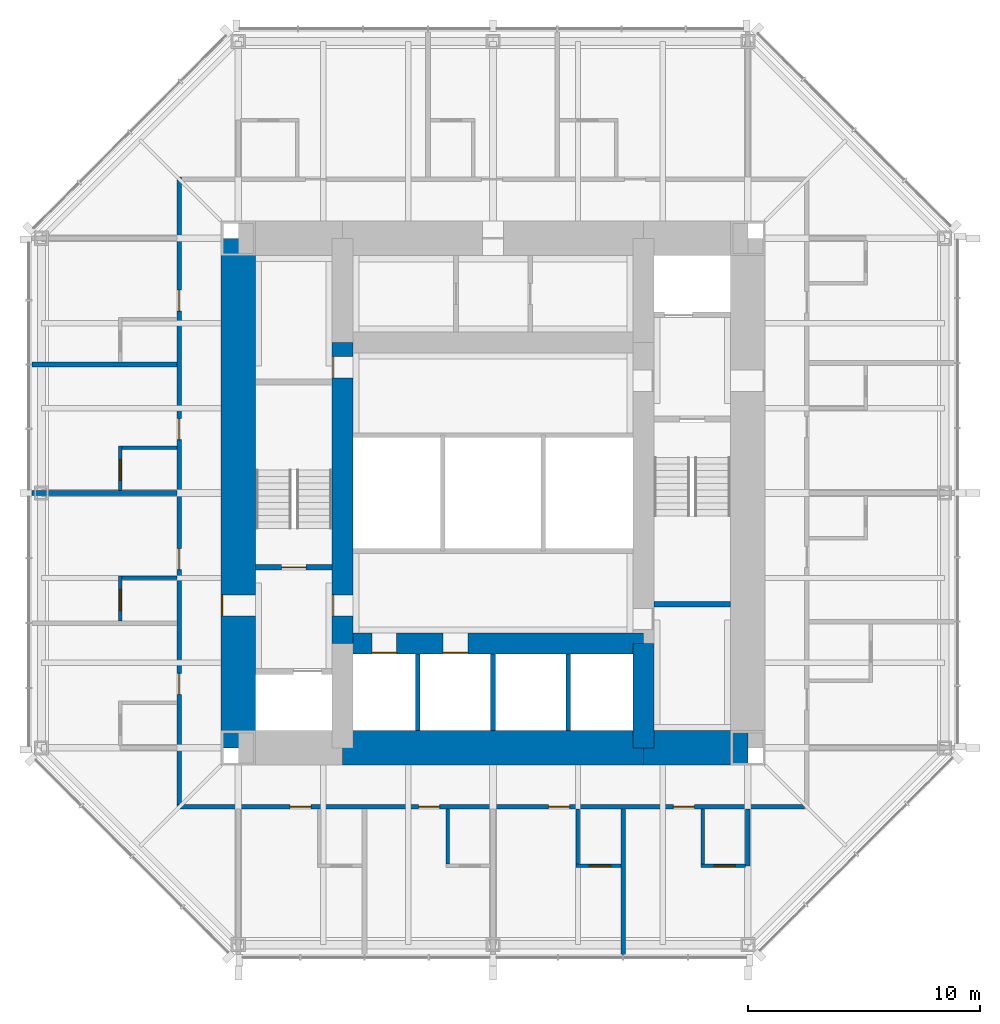
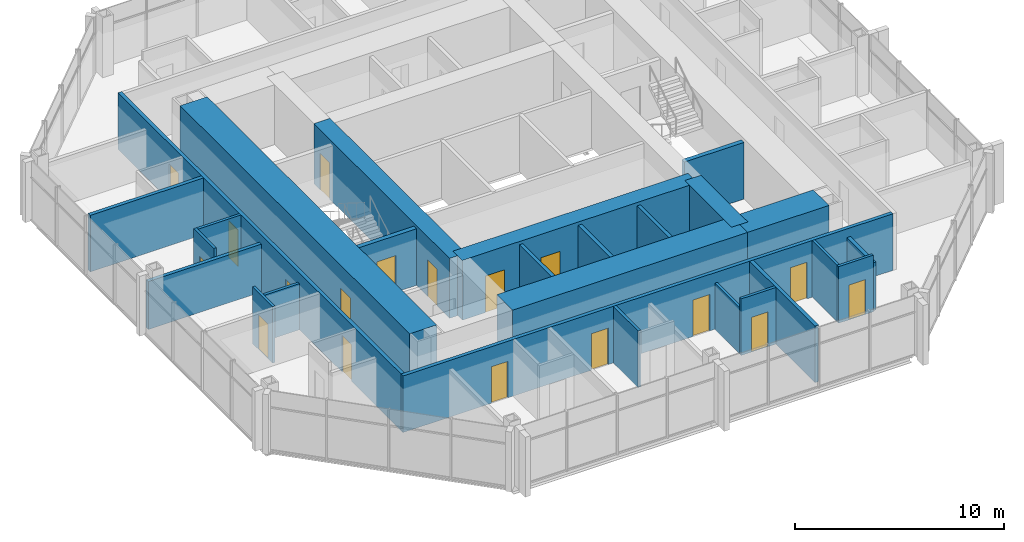
# One storey, part 8 of 12: 26 walls, 18 doors, 18 openings.
"""IFC4 building model written with IfcOpenShell, lengths in metres."""

from ifc_helpers import new_model, si_unit, direction, frame, frame_2d, origin, place, context, subcontext, project, spatial, rectangle, extrude, material, layer, layer_set, type_object, element, fill, save


model = new_model("IFC4")

# Units and contexts
model_context = context("Model", 3, precision=1e-05, world=origin(), true_north=direction((0.0, 1.0)))
body_context = subcontext(model_context, "Body", "Model", "MODEL_VIEW")
ifc_project = project(units=[si_unit("LENGTHUNIT", "METRE"), si_unit("AREAUNIT", "SQUARE_METRE"), si_unit("VOLUMEUNIT", "CUBIC_METRE"), si_unit("PLANEANGLEUNIT", "RADIAN"), si_unit("MASSUNIT", "GRAM", prefix="KILO")], contexts=[model_context])

# Site, building, storey
site_placement = place(None, origin())
site = spatial("IfcSite", under=ifc_project, at=site_placement, CompositionType="ELEMENT")
building_placement = place(site_placement, origin())
building = spatial("IfcBuilding", under=site, at=building_placement, Name="Trevanion Tower", CompositionType="ELEMENT")
storey_placement = place(building_placement, frame((0.0, 0.0, 208.199951171875)))
storey = spatial("IfcBuildingStorey", under=building, at=storey_placement, Name="L49", CompositionType="ELEMENT", Elevation=208.199951171875)

# Wall, opening, door
ifc_material_1 = material(Name="Concrete 10,000 psi", Category="concrete")
ifc_layer_1 = layer(ifc_material_1, 1.5)
ifc_layer_set_1 = layer_set([ifc_layer_1], Name="CW1 core wall 1500")
wall_type_1 = type_object("IfcWallType", Name="CW1 core wall 1500", PredefinedType="SHEAR", material=ifc_layer_set_1)
wall_1_placement = place(storey_placement, frame((-11.0, 11.0, 0.0), z_axis=(0.0, 0.0, 1.0), x_axis=(0.0, -1.0, 0.0)))
wall_1 = element("IfcWall", 1, at=wall_1_placement, inside=storey, type_object=wall_type_1, Name="CW1 CW L49", PredefinedType="SHEAR", context=body_context, shape_type="SweptSolid", body=[
    extrude(rectangle(XDim=22.0, YDim=1.5, at=frame_2d((11.0, 0.0))), origin(), (0.0, 0.0, 1.0), 3.5),
])
opening_1_placement = place(wall_1_placement, frame((15.392578125, 0.0, 0.0)))
opening_1 = element("IfcOpeningElement", 2, at=opening_1_placement, cuts=wall_1, Name="Opening 49-002", PredefinedType="OPENING", context=body_context, shape_type="SweptSolid", body=[
    extrude(rectangle(XDim=0.9150390625, YDim=2.134033203125, at=frame_2d((0.45751953125, 1.06689453125))), frame((0.0, 0.760009765625, 0.0), z_axis=(0.0, -1.0, 0.0), x_axis=(1.0, 0.0, 0.0)), (0.0, 0.0, 1.0), 1.52001953125),
])
ifc_material_2 = material(Name="Hollow metal, fire rated", Category="steel")
door_type_1 = type_object("IfcDoorType", Name="D3 fire lift lobby door", OperationType="SINGLE_SWING_RIGHT", PredefinedType="DOOR", material=ifc_material_2)
door_1_placement = place(opening_1_placement, origin())
door_1 = element("IfcDoor", 3, at=door_1_placement, inside=storey, type_object=door_type_1, Name="Door 49-002", OperationType="SINGLE_SWING_RIGHT", OverallHeight=2.134033203125, OverallWidth=0.9150390625, PredefinedType="DOOR", context=body_context, shape_type="SweptSolid", body=[
    extrude(rectangle(XDim=0.9150390625, YDim=2.134033203125, at=frame_2d((0.45751953125, 1.06689453125))), frame((0.0, -0.6748046875, 0.0), z_axis=(0.0, -1.0, 0.0), x_axis=(1.0, 0.0, 0.0)), (0.0, 0.0, 1.0), 0.050048828125),
])
fill(opening_1, door_1)

# Walls
wall_2_placement = place(storey_placement, frame((-6.5, -11.0, 0.0), z_axis=(0.0, 0.0, 1.0), x_axis=(1.0, 0.0, 0.0)))
element("IfcWall", 4, at=wall_2_placement, inside=storey, type_object=wall_type_1, Name="CW1 CS2 L49", PredefinedType="SHEAR", context=body_context, shape_type="SweptSolid", body=[
    extrude(rectangle(XDim=13.0, YDim=1.5, at=frame_2d((6.5, 0.0))), origin(), (0.0, 0.0, 1.0), 3.5),
])
wall_3_placement = place(storey_placement, frame((6.5, -11.0, 0.0), z_axis=(0.0, 0.0, 1.0), x_axis=(1.0, 0.0, 0.0)))
element("IfcWall", 5, at=wall_3_placement, inside=storey, type_object=wall_type_1, Name="CW1 CS3 L49", PredefinedType="SHEAR", context=body_context, shape_type="SweptSolid", body=[
    extrude(rectangle(XDim=4.5, YDim=1.5, at=frame_2d((2.25, 0.0))), origin(), (0.0, 0.0, 1.0), 3.5),
])
ifc_material_3 = material(Name="Concrete 10,000 psi", Category="concrete")
ifc_layer_2 = layer(ifc_material_3, 0.89990234375)
ifc_layer_set_2 = layer_set([ifc_layer_2], Name="CW2 core wall 900")
wall_type_2 = type_object("IfcWallType", Name="CW2 core wall 900", PredefinedType="SHEAR", material=ifc_layer_set_2)
wall_4_placement = place(storey_placement, frame((6.5, -11.0, 0.0), z_axis=(0.0, 0.0, 1.0), x_axis=(0.0, 1.0, 0.0)))
element("IfcWall", 6, at=wall_4_placement, inside=storey, type_object=wall_type_2, Name="CW2 RE1 L49", PredefinedType="SHEAR", context=body_context, shape_type="SweptSolid", body=[
    extrude(rectangle(XDim=4.5, YDim=0.89990234375, at=frame_2d((2.25, 0.0))), origin(), (0.0, 0.0, 1.0), 3.5),
])

# Wall, openings, doors
wall_5_placement = place(storey_placement, frame((-6.5, 6.5, 0.0), z_axis=(0.0, 0.0, 1.0), x_axis=(0.0, -1.0, 0.0)))
wall_5 = element("IfcWall", 7, at=wall_5_placement, inside=storey, type_object=wall_type_2, Name="CW2 RW2 L49", PredefinedType="SHEAR", context=body_context, shape_type="SweptSolid", body=[
    extrude(rectangle(XDim=13.0, YDim=0.89990234375, at=frame_2d((6.5, 0.0))), origin(), (0.0, 0.0, 1.0), 3.5),
])
opening_2_placement = place(wall_5_placement, frame((10.892578125, 0.0, 0.0)))
opening_2 = element("IfcOpeningElement", 8, at=opening_2_placement, cuts=wall_5, Name="Opening 49-004", PredefinedType="OPENING", context=body_context, shape_type="SweptSolid", body=[
    extrude(rectangle(XDim=0.9150390625, YDim=2.134033203125, at=frame_2d((0.45751953125, 1.06689453125))), frame((0.0, 0.4599609375, 0.0), z_axis=(0.0, -1.0, 0.0), x_axis=(1.0, 0.0, 0.0)), (0.0, 0.0, 1.0), 0.919921875),
])
opening_3_placement = place(wall_5_placement, frame((0.610107421875, 0.0, 0.0)))
opening_3 = element("IfcOpeningElement", 9, at=opening_3_placement, cuts=wall_5, Name="Opening 49-010", PredefinedType="OPENING", context=body_context, shape_type="SweptSolid", body=[
    extrude(rectangle(XDim=0.9150390625, YDim=2.134033203125, at=frame_2d((0.45751953125, 1.06689453125))), frame((0.0, 0.4599609375, 0.0), z_axis=(0.0, -1.0, 0.0), x_axis=(1.0, 0.0, 0.0)), (0.0, 0.0, 1.0), 0.919921875),
])
door_2_placement = place(opening_2_placement, origin())
door_2 = element("IfcDoor", 10, at=door_2_placement, inside=storey, type_object=door_type_1, Name="Door 49-004", OperationType="SINGLE_SWING_RIGHT", OverallHeight=2.134033203125, OverallWidth=0.9150390625, PredefinedType="DOOR", context=body_context, shape_type="SweptSolid", body=[
    extrude(rectangle(XDim=0.9150390625, YDim=2.134033203125, at=frame_2d((0.45751953125, 1.06689453125))), frame((0.0, -0.375, 0.0), z_axis=(0.0, -1.0, 0.0), x_axis=(1.0, 0.0, 0.0)), (0.0, 0.0, 1.0), 0.050048828125),
])
fill(opening_2, door_2)
ifc_material_4 = material(Name="Hollow metal, fire rated", Category="steel")
door_type_2 = type_object("IfcDoorType", Name="D5 service room door", OperationType="SINGLE_SWING_RIGHT", PredefinedType="DOOR", material=ifc_material_4)
door_3_placement = place(opening_3_placement, origin())
door_3 = element("IfcDoor", 11, at=door_3_placement, inside=storey, type_object=door_type_2, Name="Door 49-010", OperationType="SINGLE_SWING_RIGHT", OverallHeight=2.134033203125, OverallWidth=0.9150390625, PredefinedType="DOOR", context=body_context, shape_type="SweptSolid", body=[
    extrude(rectangle(XDim=0.9150390625, YDim=2.134033203125, at=frame_2d((0.45751953125, 1.06689453125))), frame((0.0, -0.375, 0.0), z_axis=(0.0, -1.0, 0.0), x_axis=(1.0, 0.0, 0.0)), (0.0, 0.0, 1.0), 0.050048828125),
])
fill(opening_3, door_3)

wall_6_placement = place(storey_placement, frame((-6.5, -6.5, 0.0), z_axis=(0.0, 0.0, 1.0), x_axis=(1.0, 0.0, 0.0)))
wall_6 = element("IfcWall", 12, at=wall_6_placement, inside=storey, type_object=wall_type_2, Name="CW2 RS L49", PredefinedType="SHEAR", context=body_context, shape_type="SweptSolid", body=[
    extrude(rectangle(XDim=13.0, YDim=0.89990234375, at=frame_2d((6.5, 0.0))), origin(), (0.0, 0.0, 1.0), 3.5),
])
opening_4_placement = place(wall_6_placement, frame((1.2666015625, 0.0, 0.0)))
opening_4 = element("IfcOpeningElement", 13, at=opening_4_placement, cuts=wall_6, Name="Opening 49-011", PredefinedType="OPENING", context=body_context, shape_type="SweptSolid", body=[
    extrude(rectangle(XDim=1.06689453125, YDim=2.134033203125, at=frame_2d((0.533447265625, 1.06689453125))), frame((0.0, 0.4599609375, 0.0), z_axis=(0.0, -1.0, 0.0), x_axis=(1.0, 0.0, 0.0)), (0.0, 0.0, 1.0), 0.919921875),
])
opening_5_placement = place(wall_6_placement, frame((4.341552734375, 0.0, 0.0)))
opening_5 = element("IfcOpeningElement", 14, at=opening_5_placement, cuts=wall_6, Name="Opening 49-012", PredefinedType="OPENING", context=body_context, shape_type="SweptSolid", body=[
    extrude(rectangle(XDim=1.06689453125, YDim=2.134033203125, at=frame_2d((0.533447265625, 1.06689453125))), frame((0.0, 0.4599609375, 0.0), z_axis=(0.0, -1.0, 0.0), x_axis=(1.0, 0.0, 0.0)), (0.0, 0.0, 1.0), 0.919921875),
])
ifc_material_5 = material(Name="Stainless steel, fire rated", Category="steel")
door_type_3 = type_object("IfcDoorType", Name="LD1 lift landing door", OperationType="SLIDING_TO_LEFT", PredefinedType="DOOR", material=ifc_material_5)
door_4_placement = place(opening_4_placement, origin())
door_4 = element("IfcDoor", 15, at=door_4_placement, inside=storey, type_object=door_type_3, Name="Door 49-011", OperationType="SLIDING_TO_LEFT", OverallHeight=2.134033203125, OverallWidth=1.06689453125, PredefinedType="DOOR", context=body_context, shape_type="SweptSolid", body=[
    extrude(rectangle(XDim=1.06689453125, YDim=2.134033203125, at=frame_2d((0.533447265625, 1.06689453125))), frame((0.0, -0.375, 0.0), z_axis=(0.0, -1.0, 0.0), x_axis=(1.0, 0.0, 0.0)), (0.0, 0.0, 1.0), 0.050048828125),
])
fill(opening_4, door_4)
door_5_placement = place(opening_5_placement, origin())
door_5 = element("IfcDoor", 16, at=door_5_placement, inside=storey, type_object=door_type_3, Name="Door 49-012", OperationType="SLIDING_TO_LEFT", OverallHeight=2.134033203125, OverallWidth=1.06689453125, PredefinedType="DOOR", context=body_context, shape_type="SweptSolid", body=[
    extrude(rectangle(XDim=1.06689453125, YDim=2.134033203125, at=frame_2d((0.533447265625, 1.06689453125))), frame((0.0, -0.375, 0.0), z_axis=(0.0, -1.0, 0.0), x_axis=(1.0, 0.0, 0.0)), (0.0, 0.0, 1.0), 0.050048828125),
])
fill(opening_5, door_5)

# Wall, opening, door
ifc_material_6 = material(Name="Gypsum board on steel studs", Category="steel")
ifc_layer_3 = layer(ifc_material_6, 0.14990234375)
ifc_layer_set_3 = layer_set([ifc_layer_3], Name="PT1 partition 150")
wall_type_3 = type_object("IfcWallType", Name="PT1 partition 150", PredefinedType="PARTITIONING", material=ifc_layer_set_3)
wall_7_placement = place(storey_placement, frame((-16.10009765625, 2.02490234375, 0.0), z_axis=(0.0, 0.0, 1.0), x_axis=(0.0, -1.0, 0.0)))
wall_7 = element("IfcWall", 17, at=wall_7_placement, inside=storey, type_object=wall_type_3, Name="PT1 L49 BA21", PredefinedType="PARTITIONING", context=body_context, shape_type="SweptSolid", body=[
    extrude(rectangle(XDim=1.9248046875, YDim=0.14990234375, at=frame_2d((0.96240234375, 0.0))), origin(), (0.0, 0.0, 1.0), 3.31005859375),
])
opening_6_placement = place(wall_7_placement, frame((0.5673828125, 0.0, 0.0)))
opening_6 = element("IfcOpeningElement", 18, at=opening_6_placement, cuts=wall_7, Name="Opening 49-032", PredefinedType="OPENING", context=body_context, shape_type="SweptSolid", body=[
    extrude(rectangle(XDim=0.9150390625, YDim=2.031982421875, at=frame_2d((0.45751953125, 1.01611328125))), frame((0.0, 0.0849609375, 0.0), z_axis=(0.0, -1.0, 0.0), x_axis=(1.0, 0.0, 0.0)), (0.0, 0.0, 1.0), 0.169921875),
])
ifc_material_7 = material(Name="Timber veneer", Category="wood")
door_type_4 = type_object("IfcDoorType", Name="D7 bathroom door", OperationType="SINGLE_SWING_LEFT", PredefinedType="DOOR", material=ifc_material_7)
door_6_placement = place(opening_6_placement, origin())
door_6 = element("IfcDoor", 19, at=door_6_placement, inside=storey, type_object=door_type_4, Name="Door 49-032", OperationType="SINGLE_SWING_LEFT", OverallHeight=2.031982421875, OverallWidth=0.9150390625, PredefinedType="DOOR", context=body_context, shape_type="SweptSolid", body=[
    extrude(rectangle(XDim=0.9150390625, YDim=2.031982421875, at=frame_2d((0.45751953125, 1.01611328125))), frame((0.0, 0.02490234375, 0.0), z_axis=(0.0, -1.0, 0.0), x_axis=(1.0, 0.0, 0.0)), (0.0, 0.0, 1.0), 0.050048828125),
])
fill(opening_6, door_6)

# Wall
wall_8_placement = place(storey_placement, frame((-13.64990234375, 1.949951171875, 0.0), z_axis=(0.0, 0.0, 1.0), x_axis=(-1.0, 0.0, 0.0)))
element("IfcWall", 20, at=wall_8_placement, inside=storey, type_object=wall_type_3, Name="PT1 L49 BB21", PredefinedType="PARTITIONING", context=body_context, shape_type="SweptSolid", body=[
    extrude(rectangle(XDim=2.375, YDim=0.14990234375, at=frame_2d((1.1875, 0.0))), origin(), (0.0, 0.0, 1.0), 3.31005859375),
])

# Wall, opening, door
wall_9_placement = place(storey_placement, frame((-16.10009765625, -3.589111328125, 0.0), z_axis=(0.0, 0.0, 1.0), x_axis=(0.0, -1.0, 0.0)))
wall_9 = element("IfcWall", 21, at=wall_9_placement, inside=storey, type_object=wall_type_3, Name="PT1 L49 BA22", PredefinedType="PARTITIONING", context=body_context, shape_type="SweptSolid", body=[
    extrude(rectangle(XDim=1.9248046875, YDim=0.14990234375, at=frame_2d((0.96240234375, 0.0))), origin(), (0.0, 0.0, 1.0), 3.31005859375),
])
opening_7_placement = place(wall_9_placement, frame((0.5673828125, 0.0, 0.0)))
opening_7 = element("IfcOpeningElement", 22, at=opening_7_placement, cuts=wall_9, Name="Opening 49-034", PredefinedType="OPENING", context=body_context, shape_type="SweptSolid", body=[
    extrude(rectangle(XDim=0.9150390625, YDim=2.031982421875, at=frame_2d((0.45751953125, 1.01611328125))), frame((0.0, 0.0849609375, 0.0), z_axis=(0.0, -1.0, 0.0), x_axis=(1.0, 0.0, 0.0)), (0.0, 0.0, 1.0), 0.169921875),
])
door_7_placement = place(opening_7_placement, origin())
door_7 = element("IfcDoor", 23, at=door_7_placement, inside=storey, type_object=door_type_4, Name="Door 49-034", OperationType="SINGLE_SWING_LEFT", OverallHeight=2.031982421875, OverallWidth=0.9150390625, PredefinedType="DOOR", context=body_context, shape_type="SweptSolid", body=[
    extrude(rectangle(XDim=0.9150390625, YDim=2.031982421875, at=frame_2d((0.45751953125, 1.01611328125))), frame((0.0, 0.02490234375, 0.0), z_axis=(0.0, -1.0, 0.0), x_axis=(1.0, 0.0, 0.0)), (0.0, 0.0, 1.0), 0.050048828125),
])
fill(opening_7, door_7)

# Walls
wall_10_placement = place(storey_placement, frame((-13.64990234375, -3.6640625, 0.0), z_axis=(0.0, 0.0, 1.0), x_axis=(-1.0, 0.0, 0.0)))
element("IfcWall", 24, at=wall_10_placement, inside=storey, type_object=wall_type_3, Name="PT1 L49 BB22", PredefinedType="PARTITIONING", context=body_context, shape_type="SweptSolid", body=[
    extrude(rectangle(XDim=2.375, YDim=0.14990234375, at=frame_2d((1.1875, 0.0))), origin(), (0.0, 0.0, 1.0), 2.703125),
])
wall_11_placement = place(storey_placement, frame((-1.949951171875, -13.64990234375, 0.0), z_axis=(0.0, 0.0, 1.0), x_axis=(0.0, -1.0, 0.0)))
element("IfcWall", 25, at=wall_11_placement, inside=storey, type_object=wall_type_3, Name="PT1 L49 BB31", PredefinedType="PARTITIONING", context=body_context, shape_type="SweptSolid", body=[
    extrude(rectangle(XDim=2.375, YDim=0.14990234375, at=frame_2d((1.1875, 0.0))), origin(), (0.0, 0.0, 1.0), 3.31005859375),
])

# Wall, opening, door
wall_12_placement = place(storey_placement, frame((3.589111328125, -16.10009765625, 0.0), z_axis=(0.0, 0.0, 1.0), x_axis=(1.0, 0.0, 0.0)))
wall_12 = element("IfcWall", 26, at=wall_12_placement, inside=storey, type_object=wall_type_3, Name="PT1 L49 BA32", PredefinedType="PARTITIONING", context=body_context, shape_type="SweptSolid", body=[
    extrude(rectangle(XDim=1.9248046875, YDim=0.14990234375, at=frame_2d((0.96240234375, 0.0))), origin(), (0.0, 0.0, 1.0), 3.31005859375),
])
opening_8_placement = place(wall_12_placement, frame((0.5673828125, 0.0, 0.0)))
opening_8 = element("IfcOpeningElement", 27, at=opening_8_placement, cuts=wall_12, Name="Opening 49-042", PredefinedType="OPENING", context=body_context, shape_type="SweptSolid", body=[
    extrude(rectangle(XDim=0.9150390625, YDim=2.031982421875, at=frame_2d((0.45751953125, 1.01611328125))), frame((0.0, 0.0849609375, 0.0), z_axis=(0.0, -1.0, 0.0), x_axis=(1.0, 0.0, 0.0)), (0.0, 0.0, 1.0), 0.169921875),
])
door_8_placement = place(opening_8_placement, origin())
door_8 = element("IfcDoor", 28, at=door_8_placement, inside=storey, type_object=door_type_4, Name="Door 49-042", OperationType="SINGLE_SWING_LEFT", OverallHeight=2.031982421875, OverallWidth=0.9150390625, PredefinedType="DOOR", context=body_context, shape_type="SweptSolid", body=[
    extrude(rectangle(XDim=0.9150390625, YDim=2.031982421875, at=frame_2d((0.45751953125, 1.01611328125))), frame((0.0, 0.02490234375, 0.0), z_axis=(0.0, -1.0, 0.0), x_axis=(1.0, 0.0, 0.0)), (0.0, 0.0, 1.0), 0.050048828125),
])
fill(opening_8, door_8)

# Wall
wall_13_placement = place(storey_placement, frame((3.6640625, -13.64990234375, 0.0), z_axis=(0.0, 0.0, 1.0), x_axis=(0.0, -1.0, 0.0)))
element("IfcWall", 29, at=wall_13_placement, inside=storey, type_object=wall_type_3, Name="PT1 L49 BB32", PredefinedType="PARTITIONING", context=body_context, shape_type="SweptSolid", body=[
    extrude(rectangle(XDim=2.375, YDim=0.14990234375, at=frame_2d((1.1875, 0.0))), origin(), (0.0, 0.0, 1.0), 2.703125),
])

# Wall, opening, door
wall_14_placement = place(storey_placement, frame((8.97509765625, -16.10009765625, 0.0), z_axis=(0.0, 0.0, 1.0), x_axis=(1.0, 0.0, 0.0)))
wall_14 = element("IfcWall", 30, at=wall_14_placement, inside=storey, type_object=wall_type_3, Name="PT1 L49 BA33", PredefinedType="PARTITIONING", context=body_context, shape_type="SweptSolid", body=[
    extrude(rectangle(XDim=1.9248046875, YDim=0.14990234375, at=frame_2d((0.96240234375, 0.0))), origin(), (0.0, 0.0, 1.0), 3.31005859375),
])
opening_9_placement = place(wall_14_placement, frame((0.5673828125, 0.0, 0.0)))
opening_9 = element("IfcOpeningElement", 31, at=opening_9_placement, cuts=wall_14, Name="Opening 49-044", PredefinedType="OPENING", context=body_context, shape_type="SweptSolid", body=[
    extrude(rectangle(XDim=0.9150390625, YDim=2.031982421875, at=frame_2d((0.45751953125, 1.01611328125))), frame((0.0, 0.0849609375, 0.0), z_axis=(0.0, -1.0, 0.0), x_axis=(1.0, 0.0, 0.0)), (0.0, 0.0, 1.0), 0.169921875),
])
door_9_placement = place(opening_9_placement, origin())
door_9 = element("IfcDoor", 32, at=door_9_placement, inside=storey, type_object=door_type_4, Name="Door 49-044", OperationType="SINGLE_SWING_LEFT", OverallHeight=2.031982421875, OverallWidth=0.9150390625, PredefinedType="DOOR", context=body_context, shape_type="SweptSolid", body=[
    extrude(rectangle(XDim=0.9150390625, YDim=2.031982421875, at=frame_2d((0.45751953125, 1.01611328125))), frame((0.0, 0.02490234375, 0.0), z_axis=(0.0, -1.0, 0.0), x_axis=(1.0, 0.0, 0.0)), (0.0, 0.0, 1.0), 0.050048828125),
])
fill(opening_9, door_9)

# Wall
wall_15_placement = place(storey_placement, frame((9.050048828125, -13.64990234375, 0.0), z_axis=(0.0, 0.0, 1.0), x_axis=(0.0, -1.0, 0.0)))
element("IfcWall", 33, at=wall_15_placement, inside=storey, type_object=wall_type_3, Name="PT1 L49 BB33", PredefinedType="PARTITIONING", context=body_context, shape_type="SweptSolid", body=[
    extrude(rectangle(XDim=2.375, YDim=0.14990234375, at=frame_2d((1.1875, 0.0))), origin(), (0.0, 0.0, 1.0), 3.31005859375),
])

# Wall, openings, doors
ifc_material_8 = material(Name="Concrete masonry, grouted", Category="masonry")
ifc_layer_4 = layer(ifc_material_8, 0.199951171875)
ifc_layer_set_4 = layer_set([ifc_layer_4], Name="PT2 partition 200 1 HR")
wall_type_4 = type_object("IfcWallType", Name="PT2 partition 200 1 HR", PredefinedType="PARTITIONING", material=ifc_layer_set_4)
wall_16_placement = place(storey_placement, frame((-13.550048828125, 13.64990234375, 0.0), z_axis=(0.0, 0.0, 1.0), x_axis=(0.0, -1.0, 0.0)))
wall_16 = element("IfcWall", 34, at=wall_16_placement, inside=storey, type_object=wall_type_4, Name="PT2 L49 HC2", PredefinedType="PARTITIONING", context=body_context, shape_type="SweptSolid", body=[
    extrude(rectangle(XDim=27.099853515625, YDim=0.199951171875, at=frame_2d((13.5498046875, 0.0))), origin(), (0.0, 0.0, 1.0), 3.31005859375),
])
opening_10_placement = place(wall_16_placement, frame((4.883544921875, 0.0, 0.0)))
opening_10 = element("IfcOpeningElement", 35, at=opening_10_placement, cuts=wall_16, Name="Opening 49-031", PredefinedType="OPENING", context=body_context, shape_type="SweptSolid", body=[
    extrude(rectangle(XDim=0.9150390625, YDim=2.134033203125, at=frame_2d((0.45751953125, 1.06689453125))), frame((0.0, 0.10986328125, 0.0), z_axis=(0.0, -1.0, 0.0), x_axis=(1.0, 0.0, 0.0)), (0.0, 0.0, 1.0), 0.219970703125),
])
opening_11_placement = place(wall_16_placement, frame((10.4326171875, 0.0, 0.0)))
opening_11 = element("IfcOpeningElement", 36, at=opening_11_placement, cuts=wall_16, Name="Opening 49-033", PredefinedType="OPENING", context=body_context, shape_type="SweptSolid", body=[
    extrude(rectangle(XDim=0.9150390625, YDim=2.134033203125, at=frame_2d((0.45751953125, 1.06689453125))), frame((0.0, 0.10986328125, 0.0), z_axis=(0.0, -1.0, 0.0), x_axis=(1.0, 0.0, 0.0)), (0.0, 0.0, 1.0), 0.219970703125),
])
opening_12_placement = place(wall_16_placement, frame((16.04638671875, 0.0, 0.0)))
opening_12 = element("IfcOpeningElement", 37, at=opening_12_placement, cuts=wall_16, Name="Opening 49-035", PredefinedType="OPENING", context=body_context, shape_type="SweptSolid", body=[
    extrude(rectangle(XDim=0.9150390625, YDim=2.134033203125, at=frame_2d((0.45751953125, 1.06689453125))), frame((0.0, 0.10986328125, 0.0), z_axis=(0.0, -1.0, 0.0), x_axis=(1.0, 0.0, 0.0)), (0.0, 0.0, 1.0), 0.219970703125),
])
opening_13_placement = place(wall_16_placement, frame((21.4326171875, 0.0, 0.0)))
opening_13 = element("IfcOpeningElement", 38, at=opening_13_placement, cuts=wall_16, Name="Opening 49-037", PredefinedType="OPENING", context=body_context, shape_type="SweptSolid", body=[
    extrude(rectangle(XDim=0.9150390625, YDim=2.134033203125, at=frame_2d((0.45751953125, 1.06689453125))), frame((0.0, 0.10986328125, 0.0), z_axis=(0.0, -1.0, 0.0), x_axis=(1.0, 0.0, 0.0)), (0.0, 0.0, 1.0), 0.219970703125),
])
ifc_material_9 = material(Name="Timber veneer, fire rated", Category="wood")
door_type_5 = type_object("IfcDoorType", Name="D6 guest room entrance door", OperationType="SINGLE_SWING_LEFT", PredefinedType="DOOR", material=ifc_material_9)
door_10_placement = place(opening_10_placement, origin())
door_10 = element("IfcDoor", 39, at=door_10_placement, inside=storey, type_object=door_type_5, Name="Door 49-031", OperationType="SINGLE_SWING_LEFT", OverallHeight=2.134033203125, OverallWidth=0.9150390625, PredefinedType="DOOR", context=body_context, shape_type="SweptSolid", body=[
    extrude(rectangle(XDim=0.9150390625, YDim=2.134033203125, at=frame_2d((0.45751953125, 1.06689453125))), frame((0.0, 0.02490234375, 0.0), z_axis=(0.0, -1.0, 0.0), x_axis=(1.0, 0.0, 0.0)), (0.0, 0.0, 1.0), 0.050048828125),
])
fill(opening_10, door_10)
door_11_placement = place(opening_11_placement, origin())
door_11 = element("IfcDoor", 40, at=door_11_placement, inside=storey, type_object=door_type_5, Name="Door 49-033", OperationType="SINGLE_SWING_LEFT", OverallHeight=2.134033203125, OverallWidth=0.9150390625, PredefinedType="DOOR", context=body_context, shape_type="SweptSolid", body=[
    extrude(rectangle(XDim=0.9150390625, YDim=2.134033203125, at=frame_2d((0.45751953125, 1.06689453125))), frame((0.0, 0.02490234375, 0.0), z_axis=(0.0, -1.0, 0.0), x_axis=(1.0, 0.0, 0.0)), (0.0, 0.0, 1.0), 0.050048828125),
])
fill(opening_11, door_11)
door_12_placement = place(opening_12_placement, origin())
door_12 = element("IfcDoor", 41, at=door_12_placement, inside=storey, type_object=door_type_5, Name="Door 49-035", OperationType="SINGLE_SWING_LEFT", OverallHeight=2.134033203125, OverallWidth=0.9150390625, PredefinedType="DOOR", context=body_context, shape_type="SweptSolid", body=[
    extrude(rectangle(XDim=0.9150390625, YDim=2.134033203125, at=frame_2d((0.45751953125, 1.06689453125))), frame((0.0, 0.02490234375, 0.0), z_axis=(0.0, -1.0, 0.0), x_axis=(1.0, 0.0, 0.0)), (0.0, 0.0, 1.0), 0.050048828125),
])
fill(opening_12, door_12)
door_13_placement = place(opening_13_placement, origin())
door_13 = element("IfcDoor", 42, at=door_13_placement, inside=storey, type_object=door_type_5, Name="Door 49-037", OperationType="SINGLE_SWING_LEFT", OverallHeight=2.134033203125, OverallWidth=0.9150390625, PredefinedType="DOOR", context=body_context, shape_type="SweptSolid", body=[
    extrude(rectangle(XDim=0.9150390625, YDim=2.134033203125, at=frame_2d((0.45751953125, 1.06689453125))), frame((0.0, 0.02490234375, 0.0), z_axis=(0.0, -1.0, 0.0), x_axis=(1.0, 0.0, 0.0)), (0.0, 0.0, 1.0), 0.050048828125),
])
fill(opening_13, door_13)

wall_17_placement = place(storey_placement, frame((-13.64990234375, -13.550048828125, 0.0), z_axis=(0.0, 0.0, 1.0), x_axis=(1.0, 0.0, 0.0)))
wall_17 = element("IfcWall", 43, at=wall_17_placement, inside=storey, type_object=wall_type_4, Name="PT2 L49 HC3", PredefinedType="PARTITIONING", context=body_context, shape_type="SweptSolid", body=[
    extrude(rectangle(XDim=27.099853515625, YDim=0.199951171875, at=frame_2d((13.5498046875, 0.0))), origin(), (0.0, 0.0, 1.0), 3.31005859375),
])
opening_14_placement = place(wall_17_placement, frame((4.883544921875, 0.0, 0.0)))
opening_14 = element("IfcOpeningElement", 44, at=opening_14_placement, cuts=wall_17, Name="Opening 49-039", PredefinedType="OPENING", context=body_context, shape_type="SweptSolid", body=[
    extrude(rectangle(XDim=0.9150390625, YDim=2.134033203125, at=frame_2d((0.45751953125, 1.06689453125))), frame((0.0, 0.10986328125, 0.0), z_axis=(0.0, -1.0, 0.0), x_axis=(1.0, 0.0, 0.0)), (0.0, 0.0, 1.0), 0.219970703125),
])
opening_15_placement = place(wall_17_placement, frame((10.4326171875, 0.0, 0.0)))
opening_15 = element("IfcOpeningElement", 45, at=opening_15_placement, cuts=wall_17, Name="Opening 49-041", PredefinedType="OPENING", context=body_context, shape_type="SweptSolid", body=[
    extrude(rectangle(XDim=0.9150390625, YDim=2.134033203125, at=frame_2d((0.45751953125, 1.06689453125))), frame((0.0, 0.10986328125, 0.0), z_axis=(0.0, -1.0, 0.0), x_axis=(1.0, 0.0, 0.0)), (0.0, 0.0, 1.0), 0.219970703125),
])
opening_16_placement = place(wall_17_placement, frame((16.04638671875, 0.0, 0.0)))
opening_16 = element("IfcOpeningElement", 46, at=opening_16_placement, cuts=wall_17, Name="Opening 49-043", PredefinedType="OPENING", context=body_context, shape_type="SweptSolid", body=[
    extrude(rectangle(XDim=0.9150390625, YDim=2.134033203125, at=frame_2d((0.45751953125, 1.06689453125))), frame((0.0, 0.10986328125, 0.0), z_axis=(0.0, -1.0, 0.0), x_axis=(1.0, 0.0, 0.0)), (0.0, 0.0, 1.0), 0.219970703125),
])
opening_17_placement = place(wall_17_placement, frame((21.4326171875, 0.0, 0.0)))
opening_17 = element("IfcOpeningElement", 47, at=opening_17_placement, cuts=wall_17, Name="Opening 49-045", PredefinedType="OPENING", context=body_context, shape_type="SweptSolid", body=[
    extrude(rectangle(XDim=0.9150390625, YDim=2.134033203125, at=frame_2d((0.45751953125, 1.06689453125))), frame((0.0, 0.10986328125, 0.0), z_axis=(0.0, -1.0, 0.0), x_axis=(1.0, 0.0, 0.0)), (0.0, 0.0, 1.0), 0.219970703125),
])
door_14_placement = place(opening_14_placement, origin())
door_14 = element("IfcDoor", 48, at=door_14_placement, inside=storey, type_object=door_type_5, Name="Door 49-039", OperationType="SINGLE_SWING_LEFT", OverallHeight=2.134033203125, OverallWidth=0.9150390625, PredefinedType="DOOR", context=body_context, shape_type="SweptSolid", body=[
    extrude(rectangle(XDim=0.9150390625, YDim=2.134033203125, at=frame_2d((0.45751953125, 1.06689453125))), frame((0.0, 0.02490234375, 0.0), z_axis=(0.0, -1.0, 0.0), x_axis=(1.0, 0.0, 0.0)), (0.0, 0.0, 1.0), 0.050048828125),
])
fill(opening_14, door_14)
door_15_placement = place(opening_15_placement, origin())
door_15 = element("IfcDoor", 49, at=door_15_placement, inside=storey, type_object=door_type_5, Name="Door 49-041", OperationType="SINGLE_SWING_LEFT", OverallHeight=2.134033203125, OverallWidth=0.9150390625, PredefinedType="DOOR", context=body_context, shape_type="SweptSolid", body=[
    extrude(rectangle(XDim=0.9150390625, YDim=2.134033203125, at=frame_2d((0.45751953125, 1.06689453125))), frame((0.0, 0.02490234375, 0.0), z_axis=(0.0, -1.0, 0.0), x_axis=(1.0, 0.0, 0.0)), (0.0, 0.0, 1.0), 0.050048828125),
])
fill(opening_15, door_15)
door_16_placement = place(opening_16_placement, origin())
door_16 = element("IfcDoor", 50, at=door_16_placement, inside=storey, type_object=door_type_5, Name="Door 49-043", OperationType="SINGLE_SWING_LEFT", OverallHeight=2.134033203125, OverallWidth=0.9150390625, PredefinedType="DOOR", context=body_context, shape_type="SweptSolid", body=[
    extrude(rectangle(XDim=0.9150390625, YDim=2.134033203125, at=frame_2d((0.45751953125, 1.06689453125))), frame((0.0, 0.02490234375, 0.0), z_axis=(0.0, -1.0, 0.0), x_axis=(1.0, 0.0, 0.0)), (0.0, 0.0, 1.0), 0.050048828125),
])
fill(opening_16, door_16)
door_17_placement = place(opening_17_placement, origin())
door_17 = element("IfcDoor", 51, at=door_17_placement, inside=storey, type_object=door_type_5, Name="Door 49-045", OperationType="SINGLE_SWING_LEFT", OverallHeight=2.134033203125, OverallWidth=0.9150390625, PredefinedType="DOOR", context=body_context, shape_type="SweptSolid", body=[
    extrude(rectangle(XDim=0.9150390625, YDim=2.134033203125, at=frame_2d((0.45751953125, 1.06689453125))), frame((0.0, 0.02490234375, 0.0), z_axis=(0.0, -1.0, 0.0), x_axis=(1.0, 0.0, 0.0)), (0.0, 0.0, 1.0), 0.050048828125),
])
fill(opening_17, door_17)

# Walls
wall_18_placement = place(storey_placement, frame((-13.64990234375, 5.549072265625, 0.0), z_axis=(0.0, 0.0, 1.0), x_axis=(-1.0, 0.0, 0.0)))
element("IfcWall", 52, at=wall_18_placement, inside=storey, type_object=wall_type_4, Name="PT2 L49 HD21", PredefinedType="PARTITIONING", context=body_context, shape_type="SweptSolid", body=[
    extrude(rectangle(XDim=6.26513671875, YDim=0.199951171875, at=frame_2d((3.132568359375, 0.0))), origin(), (0.0, 0.0, 1.0), 3.31005859375),
])
wall_19_placement = place(storey_placement, frame((-13.64990234375, 0.0, 0.0), z_axis=(0.0, 0.0, 1.0), x_axis=(-1.0, 0.0, 0.0)))
element("IfcWall", 53, at=wall_19_placement, inside=storey, type_object=wall_type_4, Name="PT2 L49 HD22", PredefinedType="PARTITIONING", context=body_context, shape_type="SweptSolid", body=[
    extrude(rectangle(XDim=6.26513671875, YDim=0.199951171875, at=frame_2d((3.132568359375, 0.0))), origin(), (0.0, 0.0, 1.0), 2.802001953125),
])
wall_20_placement = place(storey_placement, frame((5.614013671875, -13.64990234375, 0.0), z_axis=(0.0, 0.0, 1.0), x_axis=(0.0, -1.0, 0.0)))
element("IfcWall", 54, at=wall_20_placement, inside=storey, type_object=wall_type_4, Name="PT2 L49 HD33", PredefinedType="PARTITIONING", context=body_context, shape_type="SweptSolid", body=[
    extrude(rectangle(XDim=6.26513671875, YDim=0.199951171875, at=frame_2d((3.132568359375, 0.0))), origin(), (0.0, 0.0, 1.0), 3.31005859375),
])
wall_21_placement = place(storey_placement, frame((11.0, -13.64990234375, 0.0), z_axis=(0.0, 0.0, 1.0), x_axis=(0.0, -1.0, 0.0)))
element("IfcWall", 55, at=wall_21_placement, inside=storey, type_object=wall_type_4, Name="PT2 L49 BC33", PredefinedType="PARTITIONING", context=body_context, shape_type="SweptSolid", body=[
    extrude(rectangle(XDim=2.4501953125, YDim=0.199951171875, at=frame_2d((1.22509765625, 0.0))), origin(), (0.0, 0.0, 1.0), 2.802001953125),
])
ifc_material_10 = material(Name="Concrete masonry, grouted", Category="masonry")
ifc_layer_5 = layer(ifc_material_10, 0.199951171875)
ifc_layer_set_5 = layer_set([ifc_layer_5], Name="PT2 partition 200 2 HR")
wall_type_5 = type_object("IfcWallType", Name="PT2 partition 200 2 HR", PredefinedType="PARTITIONING", material=ifc_layer_set_5)
for number, where, z_axis, x_axis, name in (
    (56, (-3.25, -10.25, 0.0), (0.0, 0.0, 1.0), (0.0, 1.0, 0.0), "PT2 L49 SS0"),
    (57, (0.0, -10.25, 0.0), (0.0, 0.0, 1.0), (0.0, 1.0, 0.0), "PT2 L49 SS1"),
    (58, (3.25, -10.25, 0.0), (0.0, 0.0, 1.0), (0.0, 1.0, 0.0), "PT2 L49 SS2"),
):
    element("IfcWall", number, at=place(storey_placement, frame(where, z_axis=z_axis, x_axis=x_axis)), inside=storey, type_object=wall_type_5, Name=name, PredefinedType="PARTITIONING", context=body_context, shape_type="SweptSolid", body=[
        extrude(rectangle(XDim=3.300048828125, YDim=0.199951171875, at=frame_2d((1.64990234375, 0.0))), origin(), (0.0, 0.0, 1.0), 3.31005859375),
    ])
ifc_material_11 = material(Name="Reinforced masonry, fully grouted", Category="masonry")
ifc_layer_6 = layer(ifc_material_11, 0.25)
ifc_layer_set_6 = layer_set([ifc_layer_6], Name="SW1 stair shaft wall 250")
wall_type_6 = type_object("IfcWallType", Name="SW1 stair shaft wall 250", PredefinedType="SOLIDWALL", material=ifc_layer_set_6)
wall_22_placement = place(storey_placement, frame((6.949951171875, -4.800048828125, 0.0), z_axis=(0.0, 0.0, 1.0), x_axis=(1.0, 0.0, 0.0)))
element("IfcWall", 59, at=wall_22_placement, inside=storey, type_object=wall_type_6, Name="SW1 L49 EP1", PredefinedType="SOLIDWALL", context=body_context, shape_type="SweptSolid", body=[
    extrude(rectangle(XDim=3.300048828125, YDim=0.25, at=frame_2d((1.64990234375, 0.0))), origin(), (0.0, 0.0, 1.0), 3.31005859375),
])

# Wall, opening, door
wall_23_placement = place(storey_placement, frame((-6.949951171875, -3.199951171875, 0.0), z_axis=(0.0, 0.0, 1.0), x_axis=(-1.0, 0.0, 0.0)))
wall_23 = element("IfcWall", 60, at=wall_23_placement, inside=storey, type_object=wall_type_6, Name="SW1 L49 WP2", PredefinedType="SOLIDWALL", context=body_context, shape_type="SweptSolid", body=[
    extrude(rectangle(XDim=3.300048828125, YDim=0.25, at=frame_2d((1.64990234375, 0.0))), origin(), (0.0, 0.0, 1.0), 3.31005859375),
])
opening_18_placement = place(wall_23_placement, frame((1.116455078125, 0.0, 0.0)))
opening_18 = element("IfcOpeningElement", 61, at=opening_18_placement, cuts=wall_23, Name="Opening 49-006", PredefinedType="OPENING", context=body_context, shape_type="SweptSolid", body=[
    extrude(rectangle(XDim=1.06689453125, YDim=2.134033203125, at=frame_2d((0.533447265625, 1.06689453125))), frame((0.0, 0.135009765625, 0.0), z_axis=(0.0, -1.0, 0.0), x_axis=(1.0, 0.0, 0.0)), (0.0, 0.0, 1.0), 0.27001953125),
])
ifc_material_12 = material(Name="Hollow metal, fire rated", Category="steel")
door_type_6 = type_object("IfcDoorType", Name="D2 exit stair door", OperationType="SINGLE_SWING_LEFT", PredefinedType="DOOR", material=ifc_material_12)
door_18_placement = place(opening_18_placement, origin())
door_18 = element("IfcDoor", 62, at=door_18_placement, inside=storey, type_object=door_type_6, Name="Door 49-006", OperationType="SINGLE_SWING_LEFT", OverallHeight=2.134033203125, OverallWidth=1.06689453125, PredefinedType="DOOR", context=body_context, shape_type="SweptSolid", body=[
    extrude(rectangle(XDim=1.06689453125, YDim=2.134033203125, at=frame_2d((0.533447265625, 1.06689453125))), frame((0.0, 0.02490234375, 0.0), z_axis=(0.0, -1.0, 0.0), x_axis=(1.0, 0.0, 0.0)), (0.0, 0.0, 1.0), 0.050048828125),
])
fill(opening_18, door_18)

save(model, "model.ifc")
